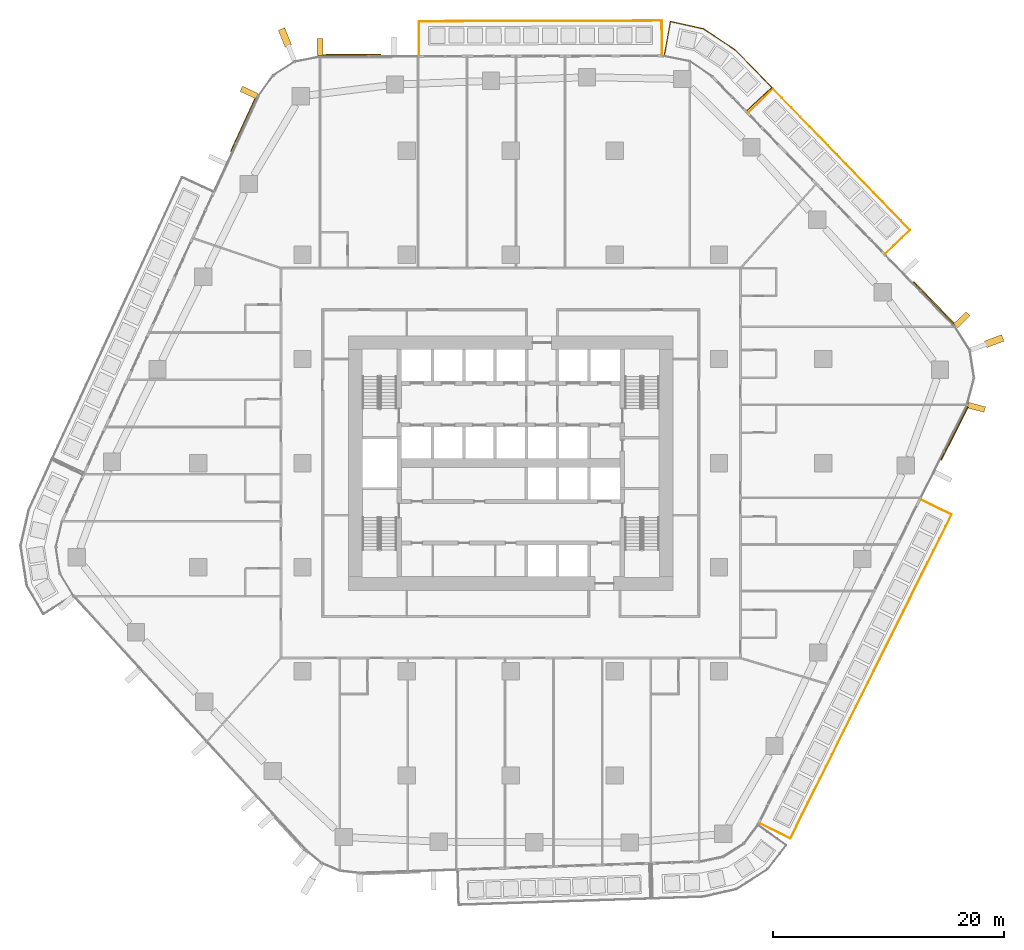
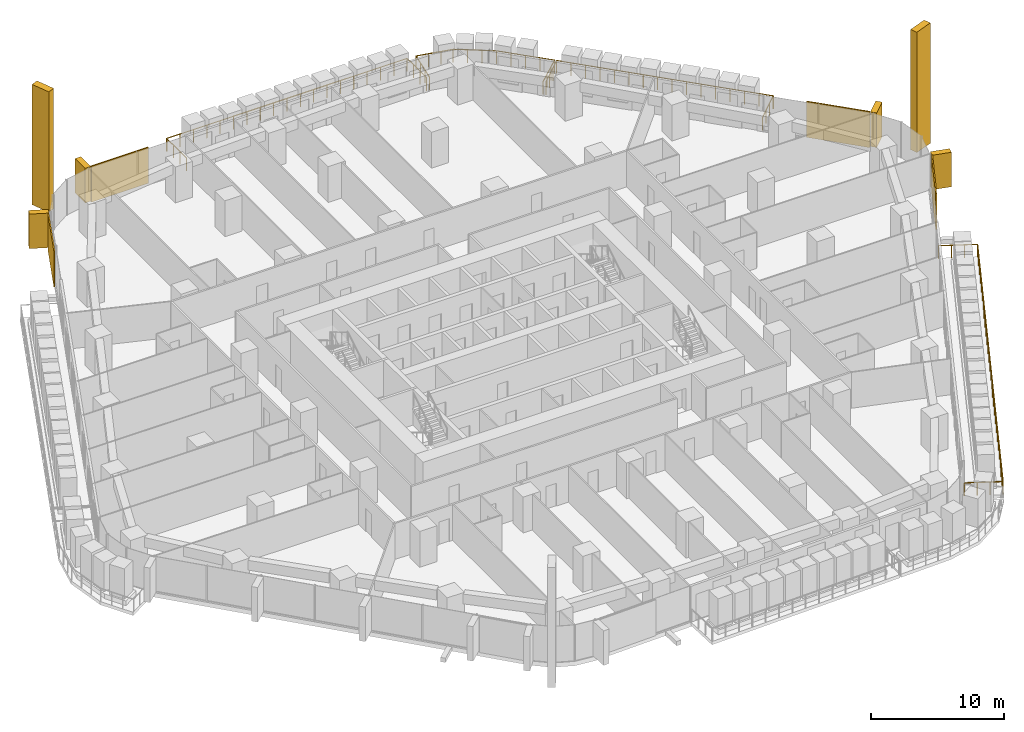
# One storey, part 27 of 27: 10 coverings, 4 railings, 6 elements without a shape of their own.
"""IFC4 building model written with IfcOpenShell, lengths in metres."""

from ifc_helpers import new_model, si_unit, direction, frame, origin, origin_2d, place, context, subcontext, project, spatial, rectangle, circle, extrude, material, layer, layer_set, material_profile, profile_set, type_object, element, aggregate, save


model = new_model("IFC4")

# Units and contexts
model_context = context("Model", 3, precision=1e-05, world=origin(), true_north=direction((0.0, 1.0)))
body_context = subcontext(model_context, "Body", "Model", "MODEL_VIEW")
ifc_project = project(units=[si_unit("LENGTHUNIT", "METRE"), si_unit("AREAUNIT", "SQUARE_METRE"), si_unit("VOLUMEUNIT", "CUBIC_METRE"), si_unit("PLANEANGLEUNIT", "RADIAN"), si_unit("MASSUNIT", "GRAM", prefix="KILO")], contexts=[model_context])

# Site, building, storey
site_placement = place(None, origin())
site = spatial("IfcSite", under=ifc_project, at=site_placement, CompositionType="ELEMENT")
building_placement = place(site_placement, origin())
building = spatial("IfcBuilding", under=site, at=building_placement, Name="Dongbaek Canopy Tower", CompositionType="ELEMENT")
storey_placement = place(building_placement, frame((0.0, 0.0, 55.10009765625)))
storey = spatial("IfcBuildingStorey", under=building, at=storey_placement, Name="L09", CompositionType="ELEMENT", Elevation=55.10009765625)

# Railings
ifc_material_1 = material(Name="Stainless steel", Category="steel")
railing_type = type_object("IfcRailingType", Name="Balcony balustrade 1200", PredefinedType="BALUSTRADE", material=ifc_material_1)
railing_1_placement = place(storey_placement, frame((32.384033203125, 18.10546875, 0.0)))
element("IfcRailing", 1, at=railing_1_placement, inside=storey, type_object=railing_type, Name="Balcony guard L09 1", PredefinedType="BALUSTRADE", context=body_context, shape_type="SweptSolid", body=[
    extrude(circle(Radius=0.02392578125, at=origin_2d()), frame((0.0, 0.0, 1.17578125), z_axis=(0.718023621674, 0.696018734459, 0.0), x_axis=(-0.696018734459, 0.718023621674, 0.0)), (0.0, 0.0, 1.0), 2.940185546875),
    extrude(circle(Radius=0.02392578125, at=origin_2d()), frame((2.111083984375, 2.04638671875, 1.17578125), z_axis=(-0.696033141623, 0.718009655759, 0.0), x_axis=(-0.718009655759, -0.696033141623, 0.0)), (0.0, 0.0, 1.0), 16.98583984375),
    extrude(circle(Radius=0.02392578125, at=origin_2d()), frame((-9.711669921875, 14.242431640625, 1.17578125), z_axis=(-0.718023621674, -0.696018734459, 0.0), x_axis=(0.696018734459, -0.718023621674, 0.0)), (0.0, 0.0, 1.0), 2.940185546875),
    extrude(circle(Radius=0.02099609375, at=origin_2d()), origin(), (0.0, 0.0, 1.0), 1.15185546875),
    extrude(circle(Radius=0.02099609375, at=origin_2d()), frame((0.70361328125, 0.68212890625, 0.0)), (0.0, 0.0, 1.0), 1.15185546875),
    extrude(circle(Radius=0.02099609375, at=origin_2d()), frame((1.407470703125, 1.3642578125, 0.0)), (0.0, 0.0, 1.0), 1.15185546875),
    extrude(circle(Radius=0.02099609375, at=origin_2d()), frame((2.111083984375, 2.04638671875, 0.0)), (0.0, 0.0, 1.0), 1.15185546875),
    extrude(circle(Radius=0.02099609375, at=origin_2d()), frame((1.322998046875, 2.859375, 0.0)), (0.0, 0.0, 1.0), 1.15185546875),
    extrude(circle(Radius=0.02099609375, at=origin_2d()), frame((0.53466796875, 3.672607421875, 0.0)), (0.0, 0.0, 1.0), 1.15185546875),
    extrude(circle(Radius=0.02099609375, at=origin_2d()), frame((-0.25341796875, 4.485595703125, 0.0)), (0.0, 0.0, 1.0), 1.15185546875),
    extrude(circle(Radius=0.02099609375, at=origin_2d()), frame((-1.041748046875, 5.298583984375, 0.0)), (0.0, 0.0, 1.0), 1.15185546875),
    extrude(circle(Radius=0.02099609375, at=origin_2d()), frame((-1.829833984375, 6.11181640625, 0.0)), (0.0, 0.0, 1.0), 1.15185546875),
    extrude(circle(Radius=0.02099609375, at=origin_2d()), frame((-2.617919921875, 6.9248046875, 0.0)), (0.0, 0.0, 1.0), 1.15185546875),
    extrude(circle(Radius=0.02099609375, at=origin_2d()), frame((-3.40625, 7.73779296875, 0.0)), (0.0, 0.0, 1.0), 1.15185546875),
    extrude(circle(Radius=0.02099609375, at=origin_2d()), frame((-4.1943359375, 8.551025390625, 0.0)), (0.0, 0.0, 1.0), 1.15185546875),
    extrude(circle(Radius=0.02099609375, at=origin_2d()), frame((-4.982666015625, 9.364013671875, 0.0)), (0.0, 0.0, 1.0), 1.15185546875),
    extrude(circle(Radius=0.02099609375, at=origin_2d()), frame((-5.770751953125, 10.177001953125, 0.0)), (0.0, 0.0, 1.0), 1.15185546875),
    extrude(circle(Radius=0.02099609375, at=origin_2d()), frame((-6.558837890625, 10.990234375, 0.0)), (0.0, 0.0, 1.0), 1.15185546875),
    extrude(circle(Radius=0.02099609375, at=origin_2d()), frame((-7.34716796875, 11.80322265625, 0.0)), (0.0, 0.0, 1.0), 1.15185546875),
    extrude(circle(Radius=0.02099609375, at=origin_2d()), frame((-8.13525390625, 12.6162109375, 0.0)), (0.0, 0.0, 1.0), 1.15185546875),
    extrude(circle(Radius=0.02099609375, at=origin_2d()), frame((-8.923583984375, 13.429443359375, 0.0)), (0.0, 0.0, 1.0), 1.15185546875),
    extrude(circle(Radius=0.02099609375, at=origin_2d()), frame((-9.711669921875, 14.242431640625, 0.0)), (0.0, 0.0, 1.0), 1.15185546875),
    extrude(circle(Radius=0.02099609375, at=origin_2d()), frame((-10.415283203125, 13.560302734375, 0.0)), (0.0, 0.0, 1.0), 1.15185546875),
    extrude(circle(Radius=0.02099609375, at=origin_2d()), frame((-11.119140625, 12.878173828125, 0.0)), (0.0, 0.0, 1.0), 1.15185546875),
    extrude(circle(Radius=0.02099609375, at=origin_2d()), frame((-11.82275390625, 12.196044921875, 0.0)), (0.0, 0.0, 1.0), 1.15185546875),
])
railing_2_placement = place(storey_placement, frame((20.408203125, 30.45947265625, 0.0)))
element("IfcRailing", 2, at=railing_2_placement, inside=storey, type_object=railing_type, Name="Balcony guard L09 6", PredefinedType="BALUSTRADE", context=body_context, shape_type="SweptSolid", body=[
    extrude(circle(Radius=0.02392578125, at=origin_2d()), frame((0.0, 0.0, 1.17578125), z_axis=(0.732095259617, 0.681202268673, 0.0), x_axis=(-0.681202268673, 0.732095259617, 0.0)), (0.0, 0.0, 1.0), 2.940673828125),
    extrude(circle(Radius=0.02392578125, at=origin_2d()), frame((2.15283203125, 2.003173828125, 1.17578125), z_axis=(-0.69838088973, 0.715726297449, 0.0), x_axis=(-0.715726297449, -0.69838088973, 0.0)), (0.0, 0.0, 1.0), 4.54638671875),
    extrude(circle(Radius=0.02392578125, at=origin_2d()), frame((-1.022216796875, 5.257080078125, 1.17578125), z_axis=(-0.832874716768, 0.55346156702, 0.0), x_axis=(-0.55346156702, -0.832874716768, 0.0)), (0.0, 0.0, 1.0), 3.276611328125),
    extrude(circle(Radius=0.02392578125, at=origin_2d()), frame((-3.751220703125, 7.070556640625, 1.17578125), z_axis=(-0.976241893003, 0.216683562705, 0.0), x_axis=(-0.216683562705, -0.976241893003, 0.0)), (0.0, 0.0, 1.0), 2.931640625),
    extrude(circle(Radius=0.02392578125, at=origin_2d()), frame((-6.61328125, 7.705810546875, 1.17578125), z_axis=(-0.176919785604, -0.984225273737, 0.0), x_axis=(0.984225273737, -0.176919785604, 0.0)), (0.0, 0.0, 1.0), 2.940673828125),
    extrude(circle(Radius=0.02099609375, at=origin_2d()), origin(), (0.0, 0.0, 1.0), 1.15185546875),
    extrude(circle(Radius=0.02099609375, at=origin_2d()), frame((0.717529296875, 0.667724609375, 0.0)), (0.0, 0.0, 1.0), 1.15185546875),
    extrude(circle(Radius=0.02099609375, at=origin_2d()), frame((1.435302734375, 1.33544921875, 0.0)), (0.0, 0.0, 1.0), 1.15185546875),
    extrude(circle(Radius=0.02099609375, at=origin_2d()), frame((2.15283203125, 2.003173828125, 0.0)), (0.0, 0.0, 1.0), 1.15185546875),
    extrude(circle(Radius=0.02099609375, at=origin_2d()), frame((1.359130859375, 2.816650390625, 0.0)), (0.0, 0.0, 1.0), 1.15185546875),
    extrude(circle(Radius=0.02099609375, at=origin_2d()), frame((0.5654296875, 3.630126953125, 0.0)), (0.0, 0.0, 1.0), 1.15185546875),
    extrude(circle(Radius=0.02099609375, at=origin_2d()), frame((-0.228515625, 4.443603515625, 0.0)), (0.0, 0.0, 1.0), 1.15185546875),
    extrude(circle(Radius=0.02099609375, at=origin_2d()), frame((-1.022216796875, 5.257080078125, 0.0)), (0.0, 0.0, 1.0), 1.15185546875),
    extrude(circle(Radius=0.02099609375, at=origin_2d()), frame((-1.931884765625, 5.861572265625, 0.0)), (0.0, 0.0, 1.0), 1.15185546875),
    extrude(circle(Radius=0.02099609375, at=origin_2d()), frame((-2.841552734375, 6.466064453125, 0.0)), (0.0, 0.0, 1.0), 1.15185546875),
    extrude(circle(Radius=0.02099609375, at=origin_2d()), frame((-3.751220703125, 7.070556640625, 0.0)), (0.0, 0.0, 1.0), 1.15185546875),
    extrude(circle(Radius=0.02099609375, at=origin_2d()), frame((-4.705322265625, 7.2822265625, 0.0)), (0.0, 0.0, 1.0), 1.15185546875),
    extrude(circle(Radius=0.02099609375, at=origin_2d()), frame((-5.6591796875, 7.494140625, 0.0)), (0.0, 0.0, 1.0), 1.15185546875),
    extrude(circle(Radius=0.02099609375, at=origin_2d()), frame((-6.61328125, 7.705810546875, 0.0)), (0.0, 0.0, 1.0), 1.15185546875),
    extrude(circle(Radius=0.02099609375, at=origin_2d()), frame((-6.78662109375, 6.740966796875, 0.0)), (0.0, 0.0, 1.0), 1.15185546875),
    extrude(circle(Radius=0.02099609375, at=origin_2d()), frame((-6.960205078125, 5.7763671875, 0.0)), (0.0, 0.0, 1.0), 1.15185546875),
    extrude(circle(Radius=0.02099609375, at=origin_2d()), frame((-7.133544921875, 4.8115234375, 0.0)), (0.0, 0.0, 1.0), 1.15185546875),
])
railing_3_placement = place(storey_placement, frame((13.056884765625, 35.292236328125, 0.0)))
element("IfcRailing", 3, at=railing_3_placement, inside=storey, type_object=railing_type, Name="Balcony guard L09 2", PredefinedType="BALUSTRADE", context=body_context, shape_type="SweptSolid", body=[
    extrude(circle(Radius=0.02392578125, at=origin_2d()), frame((0.0, 0.0, 1.17578125), z_axis=(-0.002657356503, 0.999996469222, 0.0), x_axis=(-0.999996469222, -0.002657356503, 0.0)), (0.0, 0.0, 1.0), 2.93994140625),
    extrude(circle(Radius=0.02392578125, at=origin_2d()), frame((-0.0078125, 2.93994140625, 1.17578125), z_axis=(-0.999996476187, -0.002654734253, 0.0), x_axis=(0.002654734253, -0.999996476187, 0.0)), (0.0, 0.0, 1.0), 20.9677734375),
    extrude(circle(Radius=0.02392578125, at=origin_2d()), frame((-20.9755859375, 2.88427734375, 1.17578125), z_axis=(0.002740170731, -0.999996245725, 0.0), x_axis=(0.999996245725, 0.002740170731, 0.0)), (0.0, 0.0, 1.0), 2.940185546875),
    extrude(circle(Radius=0.02099609375, at=origin_2d()), origin(), (0.0, 0.0, 1.0), 1.15185546875),
    extrude(circle(Radius=0.02099609375, at=origin_2d()), frame((-0.002685546875, 0.97998046875, 0.0)), (0.0, 0.0, 1.0), 1.15185546875),
    extrude(circle(Radius=0.02099609375, at=origin_2d()), frame((-0.005126953125, 1.9599609375, 0.0)), (0.0, 0.0, 1.0), 1.15185546875),
    extrude(circle(Radius=0.02099609375, at=origin_2d()), frame((-0.0078125, 2.93994140625, 0.0)), (0.0, 0.0, 1.0), 1.15185546875),
    extrude(circle(Radius=0.02099609375, at=origin_2d()), frame((-1.172607421875, 2.936767578125, 0.0)), (0.0, 0.0, 1.0), 1.15185546875),
    extrude(circle(Radius=0.02099609375, at=origin_2d()), frame((-2.337646484375, 2.933837890625, 0.0)), (0.0, 0.0, 1.0), 1.15185546875),
    extrude(circle(Radius=0.02099609375, at=origin_2d()), frame((-3.50244140625, 2.9306640625, 0.0)), (0.0, 0.0, 1.0), 1.15185546875),
    extrude(circle(Radius=0.02099609375, at=origin_2d()), frame((-4.667236328125, 2.927490234375, 0.0)), (0.0, 0.0, 1.0), 1.15185546875),
    extrude(circle(Radius=0.02099609375, at=origin_2d()), frame((-5.832275390625, 2.924560546875, 0.0)), (0.0, 0.0, 1.0), 1.15185546875),
    extrude(circle(Radius=0.02099609375, at=origin_2d()), frame((-6.9970703125, 2.92138671875, 0.0)), (0.0, 0.0, 1.0), 1.15185546875),
    extrude(circle(Radius=0.02099609375, at=origin_2d()), frame((-8.161865234375, 2.918212890625, 0.0)), (0.0, 0.0, 1.0), 1.15185546875),
    extrude(circle(Radius=0.02099609375, at=origin_2d()), frame((-9.326904296875, 2.915283203125, 0.0)), (0.0, 0.0, 1.0), 1.15185546875),
    extrude(circle(Radius=0.02099609375, at=origin_2d()), frame((-10.49169921875, 2.912109375, 0.0)), (0.0, 0.0, 1.0), 1.15185546875),
    extrude(circle(Radius=0.02099609375, at=origin_2d()), frame((-11.656494140625, 2.908935546875, 0.0)), (0.0, 0.0, 1.0), 1.15185546875),
    extrude(circle(Radius=0.02099609375, at=origin_2d()), frame((-12.821533203125, 2.906005859375, 0.0)), (0.0, 0.0, 1.0), 1.15185546875),
    extrude(circle(Radius=0.02099609375, at=origin_2d()), frame((-13.986328125, 2.90283203125, 0.0)), (0.0, 0.0, 1.0), 1.15185546875),
    extrude(circle(Radius=0.02099609375, at=origin_2d()), frame((-15.151123046875, 2.899658203125, 0.0)), (0.0, 0.0, 1.0), 1.15185546875),
    extrude(circle(Radius=0.02099609375, at=origin_2d()), frame((-16.316162109375, 2.896728515625, 0.0)), (0.0, 0.0, 1.0), 1.15185546875),
    extrude(circle(Radius=0.02099609375, at=origin_2d()), frame((-17.48095703125, 2.8935546875, 0.0)), (0.0, 0.0, 1.0), 1.15185546875),
    extrude(circle(Radius=0.02099609375, at=origin_2d()), frame((-18.645751953125, 2.890380859375, 0.0)), (0.0, 0.0, 1.0), 1.15185546875),
    extrude(circle(Radius=0.02099609375, at=origin_2d()), frame((-19.810791015625, 2.887451171875, 0.0)), (0.0, 0.0, 1.0), 1.15185546875),
    extrude(circle(Radius=0.02099609375, at=origin_2d()), frame((-20.9755859375, 2.88427734375, 0.0)), (0.0, 0.0, 1.0), 1.15185546875),
    extrude(circle(Radius=0.02099609375, at=origin_2d()), frame((-20.972900390625, 1.904296875, 0.0)), (0.0, 0.0, 1.0), 1.15185546875),
    extrude(circle(Radius=0.02099609375, at=origin_2d()), frame((-20.97021484375, 0.924072265625, 0.0)), (0.0, 0.0, 1.0), 1.15185546875),
    extrude(circle(Radius=0.02099609375, at=origin_2d()), frame((-20.967529296875, -0.055908203125, 0.0)), (0.0, 0.0, 1.0), 1.15185546875),
])
railing_4_placement = place(storey_placement, frame((21.525146484375, -31.12890625, 0.0)))
element("IfcRailing", 4, at=railing_4_placement, inside=storey, type_object=railing_type, Name="Balcony guard L09 5", PredefinedType="BALUSTRADE", context=body_context, shape_type="SweptSolid", body=[
    extrude(circle(Radius=0.02392578125, at=origin_2d()), frame((0.0, 0.0, 1.17578125), z_axis=(0.895189869803, -0.445684975068, 0.0), x_axis=(0.445684975068, 0.895189869803, 0.0)), (0.0, 0.0, 1.0), 2.93994140625),
    extrude(circle(Radius=0.02392578125, at=origin_2d()), frame((2.6318359375, -1.310302734375, 1.17578125), z_axis=(0.445675691297, 0.895194491821, 0.0), x_axis=(-0.895194491821, 0.445675691297, 0.0)), (0.0, 0.0, 1.0), 31.255126953125),
    extrude(circle(Radius=0.02392578125, at=origin_2d()), frame((16.5615234375, 26.669189453125, 1.17578125), z_axis=(-0.895189869803, 0.445684975068, 0.0), x_axis=(-0.445684975068, -0.895189869803, 0.0)), (0.0, 0.0, 1.0), 2.93994140625),
    extrude(circle(Radius=0.02099609375, at=origin_2d()), origin(), (0.0, 0.0, 1.0), 1.15185546875),
    extrude(circle(Radius=0.02099609375, at=origin_2d()), frame((0.877197265625, -0.436767578125, 0.0)), (0.0, 0.0, 1.0), 1.15185546875),
    extrude(circle(Radius=0.02099609375, at=origin_2d()), frame((1.754638671875, -0.87353515625, 0.0)), (0.0, 0.0, 1.0), 1.15185546875),
    extrude(circle(Radius=0.02099609375, at=origin_2d()), frame((2.6318359375, -1.310302734375, 0.0)), (0.0, 0.0, 1.0), 1.15185546875),
    extrude(circle(Radius=0.02099609375, at=origin_2d()), frame((3.147705078125, -0.27392578125, 0.0)), (0.0, 0.0, 1.0), 1.15185546875),
    extrude(circle(Radius=0.02099609375, at=origin_2d()), frame((3.66357421875, 0.76220703125, 0.0)), (0.0, 0.0, 1.0), 1.15185546875),
    extrude(circle(Radius=0.02099609375, at=origin_2d()), frame((4.1796875, 1.798583984375, 0.0)), (0.0, 0.0, 1.0), 1.15185546875),
    extrude(circle(Radius=0.02099609375, at=origin_2d()), frame((4.695556640625, 2.834716796875, 0.0)), (0.0, 0.0, 1.0), 1.15185546875),
    extrude(circle(Radius=0.02099609375, at=origin_2d()), frame((5.21142578125, 3.87109375, 0.0)), (0.0, 0.0, 1.0), 1.15185546875),
    extrude(circle(Radius=0.02099609375, at=origin_2d()), frame((5.727294921875, 4.907470703125, 0.0)), (0.0, 0.0, 1.0), 1.15185546875),
    extrude(circle(Radius=0.02099609375, at=origin_2d()), frame((6.2431640625, 5.943603515625, 0.0)), (0.0, 0.0, 1.0), 1.15185546875),
    extrude(circle(Radius=0.02099609375, at=origin_2d()), frame((6.759033203125, 6.97998046875, 0.0)), (0.0, 0.0, 1.0), 1.15185546875),
    extrude(circle(Radius=0.02099609375, at=origin_2d()), frame((7.275146484375, 8.01611328125, 0.0)), (0.0, 0.0, 1.0), 1.15185546875),
    extrude(circle(Radius=0.02099609375, at=origin_2d()), frame((7.791015625, 9.052490234375, 0.0)), (0.0, 0.0, 1.0), 1.15185546875),
    extrude(circle(Radius=0.02099609375, at=origin_2d()), frame((8.306884765625, 10.0888671875, 0.0)), (0.0, 0.0, 1.0), 1.15185546875),
    extrude(circle(Radius=0.02099609375, at=origin_2d()), frame((8.82275390625, 11.125, 0.0)), (0.0, 0.0, 1.0), 1.15185546875),
    extrude(circle(Radius=0.02099609375, at=origin_2d()), frame((9.338623046875, 12.161376953125, 0.0)), (0.0, 0.0, 1.0), 1.15185546875),
    extrude(circle(Radius=0.02099609375, at=origin_2d()), frame((9.854736328125, 13.197509765625, 0.0)), (0.0, 0.0, 1.0), 1.15185546875),
    extrude(circle(Radius=0.02099609375, at=origin_2d()), frame((10.37060546875, 14.23388671875, 0.0)), (0.0, 0.0, 1.0), 1.15185546875),
    extrude(circle(Radius=0.02099609375, at=origin_2d()), frame((10.886474609375, 15.27001953125, 0.0)), (0.0, 0.0, 1.0), 1.15185546875),
    extrude(circle(Radius=0.02099609375, at=origin_2d()), frame((11.40234375, 16.306396484375, 0.0)), (0.0, 0.0, 1.0), 1.15185546875),
    extrude(circle(Radius=0.02099609375, at=origin_2d()), frame((11.918212890625, 17.3427734375, 0.0)), (0.0, 0.0, 1.0), 1.15185546875),
    extrude(circle(Radius=0.02099609375, at=origin_2d()), frame((12.434326171875, 18.37890625, 0.0)), (0.0, 0.0, 1.0), 1.15185546875),
    extrude(circle(Radius=0.02099609375, at=origin_2d()), frame((12.9501953125, 19.415283203125, 0.0)), (0.0, 0.0, 1.0), 1.15185546875),
    extrude(circle(Radius=0.02099609375, at=origin_2d()), frame((13.466064453125, 20.451416015625, 0.0)), (0.0, 0.0, 1.0), 1.15185546875),
    extrude(circle(Radius=0.02099609375, at=origin_2d()), frame((13.98193359375, 21.48779296875, 0.0)), (0.0, 0.0, 1.0), 1.15185546875),
    extrude(circle(Radius=0.02099609375, at=origin_2d()), frame((14.497802734375, 22.524169921875, 0.0)), (0.0, 0.0, 1.0), 1.15185546875),
    extrude(circle(Radius=0.02099609375, at=origin_2d()), frame((15.013671875, 23.560302734375, 0.0)), (0.0, 0.0, 1.0), 1.15185546875),
    extrude(circle(Radius=0.02099609375, at=origin_2d()), frame((15.52978515625, 24.5966796875, 0.0)), (0.0, 0.0, 1.0), 1.15185546875),
    extrude(circle(Radius=0.02099609375, at=origin_2d()), frame((16.045654296875, 25.6328125, 0.0)), (0.0, 0.0, 1.0), 1.15185546875),
    extrude(circle(Radius=0.02099609375, at=origin_2d()), frame((16.5615234375, 26.669189453125, 0.0)), (0.0, 0.0, 1.0), 1.15185546875),
    extrude(circle(Radius=0.02099609375, at=origin_2d()), frame((15.684326171875, 27.10595703125, 0.0)), (0.0, 0.0, 1.0), 1.15185546875),
    extrude(circle(Radius=0.02099609375, at=origin_2d()), frame((14.806884765625, 27.542724609375, 0.0)), (0.0, 0.0, 1.0), 1.15185546875),
    extrude(circle(Radius=0.02099609375, at=origin_2d()), frame((13.9296875, 27.9794921875, 0.0)), (0.0, 0.0, 1.0), 1.15185546875),
])

# Curtain wall, covering
ifc_material_2 = material(Name="Aluminium 6063-T6 pale anodised", Category="aluminium")
ifc_layer_1 = layer(ifc_material_2, 0.199951171875)
ifc_layer_set_1 = layer_set([ifc_layer_1], Name="CW-1 unitised tower curtain wall")
curtain_wall_type = type_object("IfcCurtainWallType", Name="CW-1 unitised tower curtain wall", PredefinedType="NOTDEFINED", material=ifc_layer_set_1)
curtain_wall_1_placement = place(storey_placement, origin())
curtain_wall_1 = element("IfcCurtainWall", 5, at=curtain_wall_1_placement, inside=storey, type_object=curtain_wall_type, Name="CW-1 curtain wall K0.1", PredefinedType="NOTDEFINED")
ifc_material_3 = material(Name="Aluminium 6063-T6 pale metal fin", Category="aluminium")
ifc_material_profile_1 = material_profile(ifc_material_3, rectangle(XDim=1.60009765625, YDim=0.60009765625, at=origin_2d()), Name="Corner fin CN1 600 x 1600 pale metal")
ifc_profile_set_1 = profile_set([ifc_material_profile_1], Name="Aluminium 6063-T6 pale metal fin")
covering_type_1 = type_object("IfcCoveringType", Name="Corner fin CN1 600 x 1600 pale metal", PredefinedType="CLADDING", material=ifc_profile_set_1)
covering_1_placement = place(storey_placement, frame((41.770263671875, 10.538818359375, -0.2001953125), z_axis=(0.0, 0.0, 1.0), x_axis=(0.936154683811, 0.351588407059, 0.0)))
covering_1 = element("IfcCovering", 6, at=covering_1_placement, type_object=covering_type_1, Name="Corner fin L09 L11 K0", PredefinedType="CLADDING", context=body_context, shape_type="SweptSolid", body=[
    extrude(rectangle(XDim=1.60009765625, YDim=0.60009765625, at=origin_2d()), origin(), (0.0, 0.0, 1.0), 11.080078125),
])

curtain_wall_2_placement = place(storey_placement, origin())
curtain_wall_2 = element("IfcCurtainWall", 7, at=curtain_wall_2_placement, inside=storey, type_object=curtain_wall_type, Name="CW-1 curtain wall K2.1", PredefinedType="NOTDEFINED")
covering_2_placement = place(storey_placement, frame((-19.512939453125, 36.778076171875, -0.2001953125), z_axis=(0.0, 0.0, 1.0), x_axis=(-0.372155271406, 0.928170487553, 0.0)))
covering_2 = element("IfcCovering", 8, at=covering_2_placement, type_object=covering_type_1, Name="Corner fin L09 L11 K2", PredefinedType="CLADDING", context=body_context, shape_type="SweptSolid", body=[
    extrude(rectangle(XDim=1.60009765625, YDim=0.60009765625, at=origin_2d()), origin(), (0.0, 0.0, 1.0), 11.080078125),
])
aggregate(curtain_wall_2, [covering_2])

curtain_wall_3_placement = place(storey_placement, origin())
curtain_wall_3 = element("IfcCurtainWall", 9, at=curtain_wall_3_placement, inside=storey, type_object=curtain_wall_type, Name="CW-1 curtain wall F5.1", PredefinedType="NOTDEFINED")
ifc_material_4 = material(Name="Perforated aluminium 6063-T6 pale metal screen", Category="aluminium")
ifc_layer_2 = layer(ifc_material_4, 0.10009765625)
ifc_layer_set_2 = layer_set([ifc_layer_2], Name="Facet screen FS1 100 pale metal")
covering_type_2 = type_object("IfcCoveringType", Name="Facet screen FS1 100 pale metal", PredefinedType="CLADDING", material=ifc_layer_set_2)
covering_3_placement = place(storey_placement, frame((38.347900390625, 2.55810546875, 0.0), z_axis=(0.0, 0.0, 1.0), x_axis=(0.445677606724, 0.895193538217, 0.0)))
covering_3 = element("IfcCovering", 10, at=covering_3_placement, type_object=covering_type_2, Name="Facet screen L09 F5", PredefinedType="CLADDING", context=body_context, shape_type="SweptSolid", body=[
    extrude(rectangle(XDim=5.154296875, YDim=0.10009765625, at=origin_2d()), origin(), (0.0, 0.0, 1.0), 3.300048828125),
])
aggregate(curtain_wall_3, [covering_3])

curtain_wall_4_placement = place(storey_placement, origin())
curtain_wall_4 = element("IfcCurtainWall", 11, at=curtain_wall_4_placement, inside=storey, type_object=curtain_wall_type, Name="CW-1 curtain wall F0.1", PredefinedType="NOTDEFINED")
covering_4_placement = place(storey_placement, frame((36.539306640625, 13.885498046875, 0.0), z_axis=(0.0, 0.0, 1.0), x_axis=(-0.696039375829, 0.718003612313, 0.0)))
covering_4 = element("IfcCovering", 12, at=covering_4_placement, type_object=covering_type_2, Name="Facet screen L09 F0", PredefinedType="CLADDING", context=body_context, shape_type="SweptSolid", body=[
    extrude(rectangle(XDim=4.98095703125, YDim=0.10009765625, at=origin_2d()), origin(), (0.0, 0.0, 1.0), 3.300048828125),
])

curtain_wall_5_placement = place(storey_placement, origin())
curtain_wall_5 = element("IfcCurtainWall", 13, at=curtain_wall_5_placement, inside=storey, type_object=curtain_wall_type, Name="CW-1 curtain wall F1.1", PredefinedType="NOTDEFINED")
covering_5_placement = place(storey_placement, frame((-13.70556640625, 35.26708984375, 0.0), z_axis=(0.0, 0.0, 1.0), x_axis=(-0.999996448576, -0.002665114613, 0.0)))
covering_5 = element("IfcCovering", 14, at=covering_5_placement, type_object=covering_type_2, Name="Facet screen L09 F1", PredefinedType="CLADDING", context=body_context, shape_type="SweptSolid", body=[
    extrude(rectangle(XDim=4.981689453125, YDim=0.10009765625, at=origin_2d()), origin(), (0.0, 0.0, 1.0), 3.300048828125),
])

curtain_wall_6_placement = place(storey_placement, origin())
curtain_wall_6 = element("IfcCurtainWall", 15, at=curtain_wall_6_placement, inside=storey, type_object=curtain_wall_type, Name="CW-1 curtain wall F2.1", PredefinedType="NOTDEFINED")
covering_6_placement = place(storey_placement, frame((-23.138671875, 29.2119140625, 0.0), z_axis=(0.0, 0.0, 1.0), x_axis=(-0.418811892509, -0.908073013966, 0.0)))
covering_6 = element("IfcCovering", 16, at=covering_6_placement, type_object=covering_type_2, Name="Facet screen L09 F2", PredefinedType="CLADDING", context=body_context, shape_type="SweptSolid", body=[
    extrude(rectangle(XDim=4.981689453125, YDim=0.10009765625, at=origin_2d()), origin(), (0.0, 0.0, 1.0), 3.300048828125),
])

# Covering
ifc_material_5 = material(Name="Aluminium 6063-T6 pale metal fin", Category="aluminium")
ifc_material_profile_2 = material_profile(ifc_material_5, rectangle(XDim=1.5, YDim=0.5, at=origin_2d()), Name="Fin FN1 500 x 1500 pale metal")
ifc_profile_set_2 = profile_set([ifc_material_profile_2], Name="Aluminium 6063-T6 pale metal fin")
covering_type_3 = type_object("IfcCoveringType", Name="Fin FN1 500 x 1500 pale metal", PredefinedType="CLADDING", material=ifc_profile_set_2)
covering_7_placement = place(storey_placement, frame((40.23974609375, 4.819091796875, 0.119873046875), z_axis=(0.0, 0.0, 1.0), x_axis=(0.967250347585, -0.253824279961, 0.0)))
covering_7 = element("IfcCovering", 17, at=covering_7_placement, type_object=covering_type_3, Name="Fin K0.1.1", PredefinedType="CLADDING", context=body_context, shape_type="SweptSolid", body=[
    extrude(rectangle(XDim=1.5, YDim=0.5, at=origin_2d()), origin(), (0.0, 0.0, 1.0), 3.179931640625),
])

aggregate(curtain_wall_1, [covering_7, covering_1])

covering_8_placement = place(storey_placement, frame((38.97998046875, 12.379150390625, 0.119873046875), z_axis=(0.0, 0.0, 1.0), x_axis=(0.718004001298, 0.69603897457, 0.0)))
covering_8 = element("IfcCovering", 18, at=covering_8_placement, type_object=covering_type_3, Name="Fin F0.1.1", PredefinedType="CLADDING", context=body_context, shape_type="SweptSolid", body=[
    extrude(rectangle(XDim=1.5, YDim=0.5, at=origin_2d()), origin(), (0.0, 0.0, 1.0), 3.179931640625),
])

aggregate(curtain_wall_4, [covering_8, covering_4])

covering_9_placement = place(storey_placement, frame((-16.48828125, 35.963623046875, 0.119873046875), z_axis=(0.0, 0.0, 1.0), x_axis=(-0.002665570299, 0.999996447361, 0.0)))
covering_9 = element("IfcCovering", 19, at=covering_9_placement, type_object=covering_type_3, Name="Fin F1.1.3", PredefinedType="CLADDING", context=body_context, shape_type="SweptSolid", body=[
    extrude(rectangle(XDim=1.5, YDim=0.5, at=origin_2d()), origin(), (0.0, 0.0, 1.0), 3.179931640625),
])

aggregate(curtain_wall_5, [covering_9, covering_5])

covering_10_placement = place(storey_placement, frame((-22.61328125, 32.031982421875, 0.119873046875), z_axis=(0.0, 0.0, 1.0), x_axis=(-0.908073315942, 0.418811237761, 0.0)))
covering_10 = element("IfcCovering", 20, at=covering_10_placement, type_object=covering_type_3, Name="Fin F2.1.1", PredefinedType="CLADDING", context=body_context, shape_type="SweptSolid", body=[
    extrude(rectangle(XDim=1.5, YDim=0.5, at=origin_2d()), origin(), (0.0, 0.0, 1.0), 3.179931640625),
])

aggregate(curtain_wall_6, [covering_10, covering_6])

save(model, "model.ifc")
